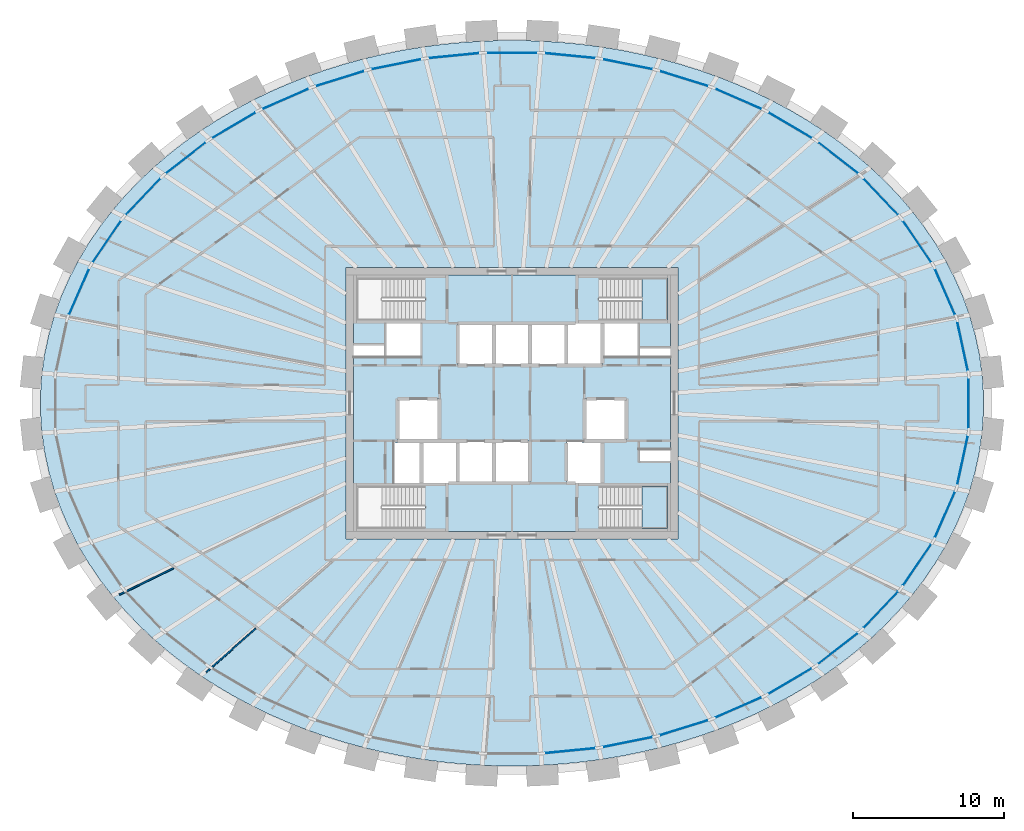
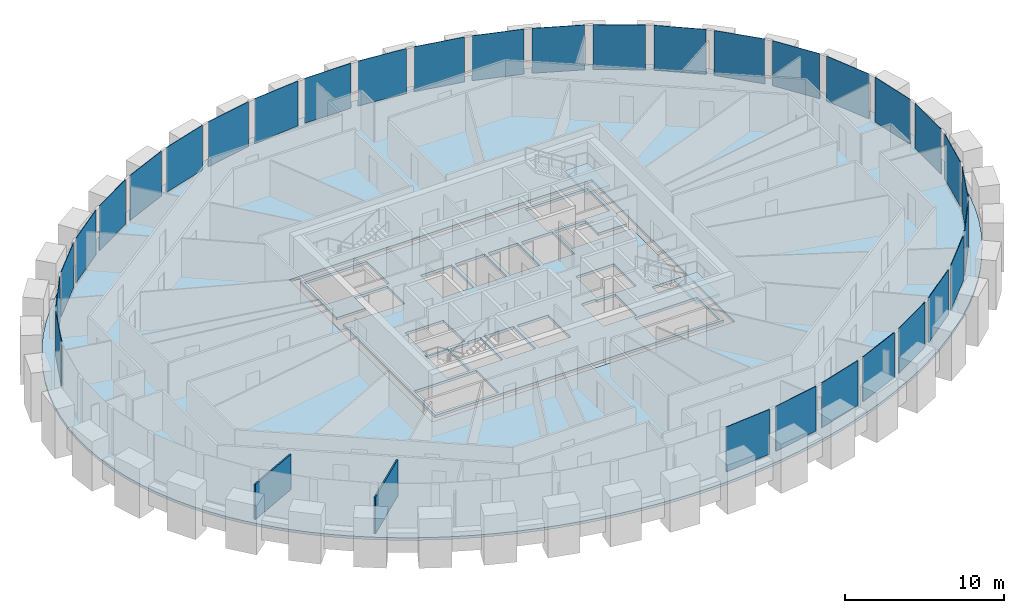
# One storey, part 5 of 12: 31 plates, 4 slabs, 2 walls, 3 elements without a shape of their own.
"""IFC4 building model written with IfcOpenShell, lengths in metres."""

from ifc_helpers import new_model, si_unit, direction, frame, frame_2d, origin, origin_2d, place, context, subcontext, project, spatial, polyline, rectangle, outline, extrude, source, transform, mapped, material, layer, layer_set, type_object, element, aggregate, save


model = new_model("IFC4")

# Units and contexts
model_context = context("Model", 3, precision=1e-05, world=origin(), true_north=direction((0.0, 1.0)))
body_context = subcontext(model_context, "Body", "Model", "MODEL_VIEW")
ifc_project = project(units=[si_unit("LENGTHUNIT", "METRE"), si_unit("AREAUNIT", "SQUARE_METRE"), si_unit("VOLUMEUNIT", "CUBIC_METRE"), si_unit("PLANEANGLEUNIT", "RADIAN"), si_unit("MASSUNIT", "GRAM", prefix="KILO")], contexts=[model_context])

# Site, building, storey
site_placement = place(None, origin())
site = spatial("IfcSite", under=ifc_project, at=site_placement, CompositionType="ELEMENT")
building_placement = place(site_placement, origin())
building = spatial("IfcBuilding", under=site, at=building_placement, Name="Embergate Tower", CompositionType="ELEMENT")
storey_placement = place(building_placement, frame((0.0, 0.0, 285.10009765625)))
storey = spatial("IfcBuildingStorey", under=building, at=storey_placement, Name="L66", CompositionType="ELEMENT", Elevation=285.10009765625)

# Slab
ifc_material_1 = material(Name="Concrete C40", Category="concrete")
ifc_layer_1 = layer(ifc_material_1, 0.199951171875)
ifc_layer_set_1 = layer_set([ifc_layer_1], Name="Concrete C40")
slab_type_1 = type_object("IfcSlabType", Name="Composite floor slab C40 200", PredefinedType="FLOOR", material=ifc_layer_set_1)
shared_shape_1 = source(origin(), body_context, "Body", "SweptSolid", [
    extrude(outline(polyline([(0.0, 0.0), (1.32177734375, 0.0), (2.643798828125, 0.04296875), (3.9658203125, 0.130126953125), (5.282958984375, 0.259033203125), (6.5908203125, 0.430908203125), (7.90087890625, 0.64794921875), (9.197998046875, 0.908935546875), (10.47900390625, 1.2109375), (11.762939453125, 1.56201171875), (13.02490234375, 1.955078125), (14.264892578125, 2.39013671875), (15.505859375, 2.8779296875), (16.7177734375, 3.407958984375), (17.89794921875, 3.97900390625), (19.076904296875, 4.60791015625), (20.216796875, 5.279052734375), (21.31591796875, 5.988037109375), (22.406982421875, 6.762939453125), (23.449951171875, 7.576904296875), (24.44091796875, 8.427001953125), (25.412841796875, 9.34814453125), (26.325927734375, 10.304931640625), (27.17578125, 11.296142578125), (27.990966796875, 12.35791015625), (28.73388671875, 13.450927734375), (29.40380859375, 14.572021484375), (30.016845703125, 15.759033203125), (30.5478515625, 16.968994140625), (30.994873046875, 18.199951171875), (31.36376953125, 19.47802734375), (31.641845703125, 20.77001953125), (31.827880859375, 22.071044921875), (31.921875, 23.39013671875), (31.921875, 24.7119140625), (31.827880859375, 26.031005859375), (31.641845703125, 27.33203125), (31.36376953125, 28.6240234375), (30.994873046875, 29.902099609375), (30.5478515625, 31.133056640625), (30.016845703125, 32.343017578125), (29.40380859375, 33.530029296875), (28.73388671875, 34.651123046875), (27.990966796875, 35.744140625), (27.17578125, 36.805908203125), (26.325927734375, 37.797119140625), (25.412841796875, 38.75390625), (24.44091796875, 39.675048828125), (23.449951171875, 40.525146484375), (22.406982421875, 41.339111328125), (21.31591796875, 42.114013671875), (20.216796875, 42.822998046875), (19.076904296875, 43.494140625), (17.89794921875, 44.123046875), (16.7177734375, 44.694091796875), (15.505859375, 45.22412109375), (14.264892578125, 45.7119140625), (13.02490234375, 46.14697265625), (11.762939453125, 46.5400390625), (10.47900390625, 46.89111328125), (9.197998046875, 47.193115234375), (7.90087890625, 47.4541015625), (6.5908203125, 47.671142578125), (5.282958984375, 47.843017578125), (3.9658203125, 47.971923828125), (2.643798828125, 48.05908203125), (1.32177734375, 48.10205078125), (0.0, 48.10205078125), (-1.322021484375, 48.05908203125), (-2.64404296875, 47.971923828125), (-3.961181640625, 47.843017578125), (-5.26904296875, 47.671142578125), (-6.5791015625, 47.4541015625), (-7.876220703125, 47.193115234375), (-9.1572265625, 46.89111328125), (-10.441162109375, 46.5400390625), (-11.703125, 46.14697265625), (-12.943115234375, 45.7119140625), (-14.18408203125, 45.22412109375), (-15.39599609375, 44.694091796875), (-16.576171875, 44.123046875), (-17.755126953125, 43.494140625), (-18.89501953125, 42.822998046875), (-19.994140625, 42.114013671875), (-21.085205078125, 41.339111328125), (-22.128173828125, 40.525146484375), (-23.119140625, 39.675048828125), (-24.091064453125, 38.75390625), (-25.004150390625, 37.797119140625), (-25.85400390625, 36.805908203125), (-26.669189453125, 35.744140625), (-27.412109375, 34.651123046875), (-28.08203125, 33.530029296875), (-28.695068359375, 32.343017578125), (-29.22607421875, 31.133056640625), (-29.673095703125, 29.902099609375), (-30.0419921875, 28.6240234375), (-30.320068359375, 27.33203125), (-30.506103515625, 26.031005859375), (-30.60009765625, 24.7119140625), (-30.60009765625, 23.39013671875), (-30.506103515625, 22.071044921875), (-30.320068359375, 20.77001953125), (-30.0419921875, 19.47802734375), (-29.673095703125, 18.199951171875), (-29.22607421875, 16.968994140625), (-28.695068359375, 15.759033203125), (-28.08203125, 14.572021484375), (-27.412109375, 13.450927734375), (-26.669189453125, 12.35791015625), (-25.85400390625, 11.296142578125), (-25.004150390625, 10.304931640625), (-24.091064453125, 9.34814453125), (-23.119140625, 8.427001953125), (-22.128173828125, 7.576904296875), (-21.085205078125, 6.762939453125), (-19.994140625, 5.988037109375), (-18.89501953125, 5.279052734375), (-17.755126953125, 4.60791015625), (-16.576171875, 3.97900390625), (-15.39599609375, 3.407958984375), (-14.18408203125, 2.8779296875), (-12.943115234375, 2.39013671875), (-11.703125, 1.955078125), (-10.441162109375, 1.56201171875), (-9.1572265625, 1.2109375), (-7.876220703125, 0.908935546875), (-6.5791015625, 0.64794921875), (-5.26904296875, 0.430908203125), (-3.961181640625, 0.259033203125), (-2.64404296875, 0.130126953125), (-1.322021484375, 0.04296875), (0.0, 0.0)]), holes=[polyline([(-10.339111328125, 15.051025390625), (-10.339111328125, 33.051025390625), (11.660888671875, 33.051025390625), (11.660888671875, 15.051025390625), (-10.339111328125, 15.051025390625)])]), origin(), (0.0, 0.0, 1.0), 0.2001953125),
])
slab_1_placement = place(storey_placement, frame((-0.660888671875, -24.051025390625, -0.2001953125)))
element("IfcSlab", 1, at=slab_1_placement, inside=storey, type_object=slab_type_1, Name="SLB-L66-00", PredefinedType="FLOOR", context=body_context, shape_type="MappedRepresentation", body=[
    mapped(shared_shape_1, transform((0.0, 0.0, 0.0))),
])

# Curtain wall, plates
ifc_material_2 = material(Name="Aluminium and glass", Category="aluminium")
curtain_wall_type = type_object("IfcCurtainWallType", Name="Recessed office glazing", PredefinedType="NOTDEFINED", material=ifc_material_2)
curtain_wall_placement = place(storey_placement, origin())
curtain_wall = element("IfcCurtainWall", 2, at=curtain_wall_placement, inside=storey, type_object=curtain_wall_type, Name="Recessed office glazing ring", ObjectType="RECESSED OFFICE GLAZING", PredefinedType="USERDEFINED")
ifc_material_3 = material(Name="Triple glazing, low-emissivity coating", Category="glass")
ifc_layer_2 = layer(ifc_material_3, 0.035888671875)
ifc_layer_set_2 = layer_set([ifc_layer_2], Name="Triple glazing, low-emissivity coating")
plate_type = type_object("IfcPlateType", Name="Office glazing unit", PredefinedType="CURTAIN_PANEL", material=ifc_layer_set_2)
shared_shape_2 = source(origin(), body_context, "Body", "SweptSolid", [
    extrude(rectangle(XDim=3.295166015625, YDim=0.035888671875, at=origin_2d()), origin(), (0.0, 0.0, 1.0), 3.449951171875),
])
plate_1_placement = place(storey_placement, frame((29.87548828125, 3.771240234375, 0.14990234375), z_axis=(0.0, 0.0, 1.0), x_axis=(-0.210405216217, 0.977614261858, 0.0)))
plate_1 = element("IfcPlate", 3, at=plate_1_placement, type_object=plate_type, Name="CW panel 1.1", PredefinedType="CURTAIN_PANEL", context=body_context, shape_type="MappedRepresentation", body=[
    mapped(shared_shape_2, transform((0.0, 0.0, 0.0))),
])
plate_2_placement = place(storey_placement, frame((29.87548828125, -3.771240234375, 0.14990234375), z_axis=(0.0, 0.0, 1.0), x_axis=(0.210405216217, 0.977614261858, 0.0)))
plate_2 = element("IfcPlate", 4, at=plate_2_placement, type_object=plate_type, Name="CW panel 43.1", PredefinedType="CURTAIN_PANEL", context=body_context, shape_type="MappedRepresentation", body=[
    mapped(shared_shape_2, transform((0.0, 0.0, 0.0))),
])
shared_shape_3 = source(origin(), body_context, "Body", "SweptSolid", [
    extrude(rectangle(XDim=3.302001953125, YDim=0.035888671875, at=origin_2d()), origin(), (0.0, 0.0, 1.0), 3.449951171875),
])
plate_3_placement = place(storey_placement, frame((28.70654296875, 7.385986328125, 0.14990234375), z_axis=(0.0, 0.0, 1.0), x_axis=(-0.401663289641, 0.915787421706, 0.0)))
plate_3 = element("IfcPlate", 5, at=plate_3_placement, type_object=plate_type, Name="CW panel 2.1", PredefinedType="CURTAIN_PANEL", context=body_context, shape_type="MappedRepresentation", body=[
    mapped(shared_shape_3, transform((0.0, 0.0, 0.0))),
])
plate_4_placement = place(storey_placement, frame((-28.70654296875, 7.385986328125, 0.14990234375), z_axis=(0.0, 0.0, 1.0), x_axis=(-0.401663289641, -0.915787421706, 0.0)))
plate_4 = element("IfcPlate", 6, at=plate_4_placement, type_object=plate_type, Name="CW panel 20.1", PredefinedType="CURTAIN_PANEL", context=body_context, shape_type="MappedRepresentation", body=[
    mapped(shared_shape_3, transform((0.0, 0.0, 0.0))),
])
plate_5_placement = place(storey_placement, frame((28.70654296875, -7.385986328125, 0.14990234375), z_axis=(0.0, 0.0, 1.0), x_axis=(0.401663289641, 0.915787421706, 0.0)))
plate_5 = element("IfcPlate", 7, at=plate_5_placement, type_object=plate_type, Name="CW panel 42.1", PredefinedType="CURTAIN_PANEL", context=body_context, shape_type="MappedRepresentation", body=[
    mapped(shared_shape_3, transform((0.0, 0.0, 0.0))),
])
shared_shape_4 = source(origin(), body_context, "Body", "SweptSolid", [
    extrude(rectangle(XDim=3.310546875, YDim=0.035888671875, at=origin_2d()), origin(), (0.0, 0.0, 1.0), 3.449951171875),
])
plate_6_placement = place(storey_placement, frame((26.86181640625, 10.719970703125, 0.14990234375), z_axis=(0.0, 0.0, 1.0), x_axis=(-0.562353287631, 0.826897079382, 0.0)))
plate_6 = element("IfcPlate", 8, at=plate_6_placement, type_object=plate_type, Name="CW panel 3.1", PredefinedType="CURTAIN_PANEL", context=body_context, shape_type="MappedRepresentation", body=[
    mapped(shared_shape_4, transform((0.0, 0.0, 0.0))),
])
plate_7_placement = place(storey_placement, frame((-26.86181640625, 10.719970703125, 0.14990234375), z_axis=(0.0, 0.0, 1.0), x_axis=(-0.562353287631, -0.826897079382, 0.0)))
plate_7 = element("IfcPlate", 9, at=plate_7_placement, type_object=plate_type, Name="CW panel 19.1", PredefinedType="CURTAIN_PANEL", context=body_context, shape_type="MappedRepresentation", body=[
    mapped(shared_shape_4, transform((0.0, 0.0, 0.0))),
])
plate_8_placement = place(storey_placement, frame((26.86181640625, -10.719970703125, 0.14990234375), z_axis=(0.0, 0.0, 1.0), x_axis=(0.562353287631, 0.826897079382, 0.0)))
plate_8 = element("IfcPlate", 10, at=plate_8_placement, type_object=plate_type, Name="CW panel 41.1", PredefinedType="CURTAIN_PANEL", context=body_context, shape_type="MappedRepresentation", body=[
    mapped(shared_shape_4, transform((0.0, 0.0, 0.0))),
])
shared_shape_5 = source(origin(), body_context, "Body", "SweptSolid", [
    extrude(rectangle(XDim=3.319091796875, YDim=0.035888671875, at=origin_2d()), origin(), (0.0, 0.0, 1.0), 3.449951171875),
])
plate_9_placement = place(storey_placement, frame((24.460205078125, 13.69287109375, 0.14990234375), z_axis=(0.0, 0.0, 1.0), x_axis=(-0.690143888901, 0.723672172059, 0.0)))
plate_9 = element("IfcPlate", 11, at=plate_9_placement, type_object=plate_type, Name="CW panel 4.1", PredefinedType="CURTAIN_PANEL", context=body_context, shape_type="MappedRepresentation", body=[
    mapped(shared_shape_5, transform((0.0, 0.0, 0.0))),
])
plate_10_placement = place(storey_placement, frame((-24.460205078125, 13.69287109375, 0.14990234375), z_axis=(0.0, 0.0, 1.0), x_axis=(-0.690143888901, -0.723672172059, 0.0)))
plate_10 = element("IfcPlate", 12, at=plate_10_placement, type_object=plate_type, Name="CW panel 18.1", PredefinedType="CURTAIN_PANEL", context=body_context, shape_type="MappedRepresentation", body=[
    mapped(shared_shape_5, transform((0.0, 0.0, 0.0))),
])
plate_11_placement = place(storey_placement, frame((24.460205078125, -13.69287109375, 0.14990234375), z_axis=(0.0, 0.0, 1.0), x_axis=(0.690143888901, 0.723672172059, 0.0)))
plate_11 = element("IfcPlate", 13, at=plate_11_placement, type_object=plate_type, Name="CW panel 40.1", PredefinedType="CURTAIN_PANEL", context=body_context, shape_type="MappedRepresentation", body=[
    mapped(shared_shape_5, transform((0.0, 0.0, 0.0))),
])
shared_shape_6 = source(origin(), body_context, "Body", "SweptSolid", [
    extrude(rectangle(XDim=3.326416015625, YDim=0.035888671875, at=origin_2d()), origin(), (0.0, 0.0, 1.0), 3.449951171875),
])
plate_12_placement = place(storey_placement, frame((21.619384765625, 16.26513671875, 0.14990234375), z_axis=(0.0, 0.0, 1.0), x_axis=(-0.788326562254, 0.615257044855, 0.0)))
plate_12 = element("IfcPlate", 14, at=plate_12_placement, type_object=plate_type, Name="CW panel 5.1", PredefinedType="CURTAIN_PANEL", context=body_context, shape_type="MappedRepresentation", body=[
    mapped(shared_shape_6, transform((0.0, 0.0, 0.0))),
])
plate_13_placement = place(storey_placement, frame((-21.619384765625, 16.26513671875, 0.14990234375), z_axis=(0.0, 0.0, 1.0), x_axis=(-0.788326562254, -0.615257044855, 0.0)))
plate_13 = element("IfcPlate", 15, at=plate_13_placement, type_object=plate_type, Name="CW panel 17.1", PredefinedType="CURTAIN_PANEL", context=body_context, shape_type="MappedRepresentation", body=[
    mapped(shared_shape_6, transform((0.0, 0.0, 0.0))),
])
plate_14_placement = place(storey_placement, frame((21.619384765625, -16.26513671875, 0.14990234375), z_axis=(0.0, 0.0, 1.0), x_axis=(0.788326562254, 0.615257044855, 0.0)))
plate_14 = element("IfcPlate", 16, at=plate_14_placement, type_object=plate_type, Name="CW panel 39.1", PredefinedType="CURTAIN_PANEL", context=body_context, shape_type="MappedRepresentation", body=[
    mapped(shared_shape_6, transform((0.0, 0.0, 0.0))),
])
shared_shape_7 = source(origin(), body_context, "Body", "SweptSolid", [
    extrude(rectangle(XDim=3.332275390625, YDim=0.035888671875, at=origin_2d()), origin(), (0.0, 0.0, 1.0), 3.449951171875),
])
plate_15_placement = place(storey_placement, frame((18.44287109375, 18.424560546875, 0.14990234375), z_axis=(0.0, 0.0, 1.0), x_axis=(-0.862057590599, 0.506810329898, 0.0)))
plate_15 = element("IfcPlate", 17, at=plate_15_placement, type_object=plate_type, Name="CW panel 6.1", PredefinedType="CURTAIN_PANEL", context=body_context, shape_type="MappedRepresentation", body=[
    mapped(shared_shape_7, transform((0.0, 0.0, 0.0))),
])
plate_16_placement = place(storey_placement, frame((-18.44287109375, 18.424560546875, 0.14990234375), z_axis=(0.0, 0.0, 1.0), x_axis=(-0.862057590599, -0.506810329898, 0.0)))
plate_16 = element("IfcPlate", 18, at=plate_16_placement, type_object=plate_type, Name="CW panel 16.1", PredefinedType="CURTAIN_PANEL", context=body_context, shape_type="MappedRepresentation", body=[
    mapped(shared_shape_7, transform((0.0, 0.0, 0.0))),
])
plate_17_placement = place(storey_placement, frame((18.44287109375, -18.424560546875, 0.14990234375), z_axis=(0.0, 0.0, 1.0), x_axis=(0.862057590599, 0.506810329898, 0.0)))
plate_17 = element("IfcPlate", 19, at=plate_17_placement, type_object=plate_type, Name="CW panel 38.1", PredefinedType="CURTAIN_PANEL", context=body_context, shape_type="MappedRepresentation", body=[
    mapped(shared_shape_7, transform((0.0, 0.0, 0.0))),
])
shared_shape_8 = source(origin(), body_context, "Body", "SweptSolid", [
    extrude(rectangle(XDim=3.336669921875, YDim=0.035888671875, at=origin_2d()), origin(), (0.0, 0.0, 1.0), 3.449951171875),
])
plate_18_placement = place(storey_placement, frame((15.015380859375, 20.173095703125, 0.14990234375), z_axis=(0.0, 0.0, 1.0), x_axis=(-0.916239008703, 0.400632099227, 0.0)))
plate_18 = element("IfcPlate", 20, at=plate_18_placement, type_object=plate_type, Name="CW panel 7.1", PredefinedType="CURTAIN_PANEL", context=body_context, shape_type="MappedRepresentation", body=[
    mapped(shared_shape_8, transform((0.0, 0.0, 0.0))),
])
plate_19_placement = place(storey_placement, frame((-15.015380859375, 20.173095703125, 0.14990234375), z_axis=(0.0, 0.0, 1.0), x_axis=(-0.916239008703, -0.400632099227, 0.0)))
plate_19 = element("IfcPlate", 21, at=plate_19_placement, type_object=plate_type, Name="CW panel 15.1", PredefinedType="CURTAIN_PANEL", context=body_context, shape_type="MappedRepresentation", body=[
    mapped(shared_shape_8, transform((0.0, 0.0, 0.0))),
])
plate_20_placement = place(storey_placement, frame((15.015380859375, -20.173095703125, 0.14990234375), z_axis=(0.0, 0.0, 1.0), x_axis=(0.916239008703, 0.400632099227, 0.0)))
plate_20 = element("IfcPlate", 22, at=plate_20_placement, type_object=plate_type, Name="CW panel 37.1", PredefinedType="CURTAIN_PANEL", context=body_context, shape_type="MappedRepresentation", body=[
    mapped(shared_shape_8, transform((0.0, 0.0, 0.0))),
])
shared_shape_9 = source(origin(), body_context, "Body", "SweptSolid", [
    extrude(rectangle(XDim=3.33984375, YDim=0.035888671875, at=origin_2d()), origin(), (0.0, 0.0, 1.0), 3.449951171875),
])
plate_21_placement = place(storey_placement, frame((11.406005859375, 21.51953125, 0.14990234375), z_axis=(0.0, 0.0, 1.0), x_axis=(-0.954773774021, 0.297333214496, 0.0)))
plate_21 = element("IfcPlate", 23, at=plate_21_placement, type_object=plate_type, Name="CW panel 8.1", PredefinedType="CURTAIN_PANEL", context=body_context, shape_type="MappedRepresentation", body=[
    mapped(shared_shape_9, transform((0.0, 0.0, 0.0))),
])
plate_22_placement = place(storey_placement, frame((-11.406005859375, 21.51953125, 0.14990234375), z_axis=(0.0, 0.0, 1.0), x_axis=(-0.954773774021, -0.297333214496, 0.0)))
plate_22 = element("IfcPlate", 24, at=plate_22_placement, type_object=plate_type, Name="CW panel 14.1", PredefinedType="CURTAIN_PANEL", context=body_context, shape_type="MappedRepresentation", body=[
    mapped(shared_shape_9, transform((0.0, 0.0, 0.0))),
])
plate_23_placement = place(storey_placement, frame((11.406005859375, -21.51953125, 0.14990234375), z_axis=(0.0, 0.0, 1.0), x_axis=(0.954773774021, 0.297333214496, 0.0)))
plate_23 = element("IfcPlate", 25, at=plate_23_placement, type_object=plate_type, Name="CW panel 36.1", PredefinedType="CURTAIN_PANEL", context=body_context, shape_type="MappedRepresentation", body=[
    mapped(shared_shape_9, transform((0.0, 0.0, 0.0))),
])
shared_shape_10 = source(origin(), body_context, "Body", "SweptSolid", [
    extrude(rectangle(XDim=3.342041015625, YDim=0.035888671875, at=origin_2d()), origin(), (0.0, 0.0, 1.0), 3.449951171875),
])
plate_24_placement = place(storey_placement, frame((7.669921875, 22.47314453125, 0.14990234375), z_axis=(0.0, 0.0, 1.0), x_axis=(-0.980476593804, 0.196635828382, 0.0)))
plate_24 = element("IfcPlate", 26, at=plate_24_placement, type_object=plate_type, Name="CW panel 9.1", PredefinedType="CURTAIN_PANEL", context=body_context, shape_type="MappedRepresentation", body=[
    mapped(shared_shape_10, transform((0.0, 0.0, 0.0))),
])
plate_25_placement = place(storey_placement, frame((-7.669921875, 22.47314453125, 0.14990234375), z_axis=(0.0, 0.0, 1.0), x_axis=(-0.980476593804, -0.196635828382, 0.0)))
plate_25 = element("IfcPlate", 27, at=plate_25_placement, type_object=plate_type, Name="CW panel 13.1", PredefinedType="CURTAIN_PANEL", context=body_context, shape_type="MappedRepresentation", body=[
    mapped(shared_shape_10, transform((0.0, 0.0, 0.0))),
])
plate_26_placement = place(storey_placement, frame((7.669921875, -22.47314453125, 0.14990234375), z_axis=(0.0, 0.0, 1.0), x_axis=(0.980476593804, 0.196635828382, 0.0)))
plate_26 = element("IfcPlate", 28, at=plate_26_placement, type_object=plate_type, Name="CW panel 35.1", PredefinedType="CURTAIN_PANEL", context=body_context, shape_type="MappedRepresentation", body=[
    mapped(shared_shape_10, transform((0.0, 0.0, 0.0))),
])
shared_shape_11 = source(origin(), body_context, "Body", "SweptSolid", [
    extrude(rectangle(XDim=3.34326171875, YDim=0.035888671875, at=origin_2d()), origin(), (0.0, 0.0, 1.0), 3.449951171875),
])
plate_27_placement = place(storey_placement, frame((3.854248046875, 23.0419921875, 0.14990234375), z_axis=(0.0, 0.0, 1.0), x_axis=(-0.995203355531, 0.09782781373, 0.0)))
plate_27 = element("IfcPlate", 29, at=plate_27_placement, type_object=plate_type, Name="CW panel 10.1", PredefinedType="CURTAIN_PANEL", context=body_context, shape_type="MappedRepresentation", body=[
    mapped(shared_shape_11, transform((0.0, 0.0, 0.0))),
])
plate_28_placement = place(storey_placement, frame((-3.854248046875, 23.0419921875, 0.14990234375), z_axis=(0.0, 0.0, 1.0), x_axis=(-0.995203355531, -0.09782781373, 0.0)))
plate_28 = element("IfcPlate", 30, at=plate_28_placement, type_object=plate_type, Name="CW panel 12.1", PredefinedType="CURTAIN_PANEL", context=body_context, shape_type="MappedRepresentation", body=[
    mapped(shared_shape_11, transform((0.0, 0.0, 0.0))),
])
plate_29_placement = place(storey_placement, frame((3.854248046875, -23.0419921875, 0.14990234375), z_axis=(0.0, 0.0, 1.0), x_axis=(0.995203355531, 0.09782781373, 0.0)))
plate_29 = element("IfcPlate", 31, at=plate_29_placement, type_object=plate_type, Name="CW panel 34.1", PredefinedType="CURTAIN_PANEL", context=body_context, shape_type="MappedRepresentation", body=[
    mapped(shared_shape_11, transform((0.0, 0.0, 0.0))),
])
shared_shape_12 = source(origin(), body_context, "Body", "SweptSolid", [
    extrude(rectangle(XDim=3.34375, YDim=0.035888671875, at=origin_2d()), origin(), (0.0, 0.0, 1.0), 3.449951171875),
])
plate_30_placement = place(storey_placement, frame((0.0, 23.230712890625, 0.14990234375), z_axis=(0.0, 0.0, 1.0), x_axis=(-1.0, 0.0, 0.0)))
plate_30 = element("IfcPlate", 32, at=plate_30_placement, type_object=plate_type, Name="CW panel 11.1", PredefinedType="CURTAIN_PANEL", context=body_context, shape_type="MappedRepresentation", body=[
    mapped(shared_shape_12, transform((0.0, 0.0, 0.0))),
])
shared_shape_13 = source(origin(), body_context, "Body", "SweptSolid", [
    extrude(rectangle(XDim=3.29248046875, YDim=0.035888671875, at=origin_2d()), origin(), (0.0, 0.0, 1.0), 3.449951171875),
])
plate_31_placement = place(storey_placement, frame((30.27685546875, 0.0, 0.14990234375), z_axis=(0.0, 0.0, 1.0), x_axis=(0.0, 1.0, 0.0)))
plate_31 = element("IfcPlate", 33, at=plate_31_placement, type_object=plate_type, Name="CW panel 44.1", PredefinedType="CURTAIN_PANEL", context=body_context, shape_type="MappedRepresentation", body=[
    mapped(shared_shape_13, transform((0.0, 0.0, 0.0))),
])
aggregate(curtain_wall, [plate_1, plate_3, plate_6, plate_9, plate_12, plate_15, plate_18, plate_21, plate_24, plate_27, plate_30, plate_28, plate_25, plate_22, plate_19, plate_16, plate_13, plate_10, plate_7, plate_4, plate_29, plate_26, plate_23, plate_20, plate_17, plate_14, plate_11, plate_8, plate_5, plate_2, plate_31])

# Stair, slab
ifc_material_4 = material(Name="Exit stair")
stair_type = type_object("IfcStairType", Name="Exit stair", PredefinedType="HALF_TURN_STAIR", material=ifc_material_4)
stair_1_placement = place(storey_placement, origin())
stair_1 = element("IfcStair", 34, at=stair_1_placement, inside=storey, type_object=stair_type, Name="L66 Exit stair 2", PredefinedType="HALF_TURN_STAIR")
ifc_layer_3 = layer(ifc_material_1, 0.199951171875)
ifc_layer_set_3 = layer_set([ifc_layer_3], Name="Concrete C40")
slab_type_2 = type_object("IfcSlabType", Name="Stair landing reinforced concrete", PredefinedType="LANDING", material=ifc_layer_set_3)
shared_shape_14 = source(origin(), body_context, "Body", "SweptSolid", [
    extrude(outline(polyline([(0.0, 0.0), (1.68994140625, 0.0), (1.68994140625, 2.800048828125), (0.0, 2.800048828125), (0.0, 0.0)])), origin(), (0.0, 0.0, 1.0), 0.199951171875),
])
slab_2_placement = place(storey_placement, frame((8.610107421875, 5.5, 1.75)))
slab_2 = element("IfcSlab", 35, at=slab_2_placement, type_object=slab_type_2, Name="ST2 landing 1", PredefinedType="LANDING", context=body_context, shape_type="MappedRepresentation", body=[
    mapped(shared_shape_14, transform((0.0, 0.0, 0.0))),
])
aggregate(stair_1, [slab_2])

stair_2_placement = place(storey_placement, origin())
stair_2 = element("IfcStair", 36, at=stair_2_placement, inside=storey, type_object=stair_type, Name="L66 Exit stair 4", PredefinedType="HALF_TURN_STAIR")
slab_3_placement = place(storey_placement, frame((8.610107421875, -8.300048828125, 1.75)))
slab_3 = element("IfcSlab", 37, at=slab_3_placement, type_object=slab_type_2, Name="ST4 landing 1", PredefinedType="LANDING", context=body_context, shape_type="MappedRepresentation", body=[
    mapped(shared_shape_14, transform((0.0, 0.0, 0.0))),
])
aggregate(stair_2, [slab_3])

# Slab
ifc_layer_4 = layer(ifc_material_1, 0.199951171875)
ifc_layer_set_4 = layer_set([ifc_layer_4], Name="Concrete C40")
slab_type_3 = type_object("IfcSlabType", Name="Core floor slab 200 reinforced concrete", PredefinedType="FLOOR", material=ifc_layer_set_4)
shared_shape_15 = source(origin(), body_context, "Body", "SweptSolid", [
    extrude(outline(polyline([(0.0, 0.0), (21.0, 0.0), (21.0, 4.60009765625), (18.89990234375, 4.60009765625), (18.89990234375, 5.39990234375), (21.0, 5.39990234375), (21.0, 11.60009765625), (18.89990234375, 11.60009765625), (16.625, 11.60009765625), (16.625, 13.800048828125), (18.89990234375, 13.800048828125), (18.89990234375, 12.2041015625), (21.0, 12.2041015625), (21.0, 17.0), (0.0, 17.0), (0.0, 12.39990234375), (2.10009765625, 12.39990234375), (2.10009765625, 13.800048828125), (4.5, 13.800048828125), (4.5, 11.60009765625), (2.10009765625, 11.60009765625), (0.0, 11.60009765625), (0.0, 0.0)]), holes=[polyline([(0.199951171875, 0.199951171875), (0.199951171875, 3.0), (4.739990234375, 3.0), (4.739990234375, 0.199951171875), (0.199951171875, 0.199951171875)]), polyline([(16.260009765625, 0.199951171875), (16.260009765625, 3.0), (20.800048828125, 3.0), (20.800048828125, 0.199951171875), (16.260009765625, 0.199951171875)]), polyline([(2.699951171875, 3.199951171875), (2.699951171875, 6.0), (2.77490234375, 6.0), (2.77490234375, 5.875), (4.375, 5.875), (4.375, 3.199951171875), (2.699951171875, 3.199951171875)]), polyline([(4.5, 3.199951171875), (4.5, 5.875), (5.824951171875, 5.875), (5.824951171875, 6.0), (6.77490234375, 6.0), (6.77490234375, 3.199951171875), (4.5, 3.199951171875)]), polyline([(7.02490234375, 3.199951171875), (7.02490234375, 6.0), (9.175048828125, 6.0), (9.175048828125, 3.199951171875), (7.02490234375, 3.199951171875)]), polyline([(9.425048828125, 3.199951171875), (9.425048828125, 6.0), (11.699951171875, 6.0), (11.699951171875, 3.199951171875), (9.425048828125, 3.199951171875)]), polyline([(14.10009765625, 3.199951171875), (14.10009765625, 6.0), (15.175048828125, 6.0), (15.175048828125, 5.875), (16.5, 5.875), (16.5, 3.199951171875), (14.10009765625, 3.199951171875)]), polyline([(2.89990234375, 6.0), (2.89990234375, 8.800048828125), (5.699951171875, 8.800048828125), (5.699951171875, 6.125), (4.375, 6.125), (4.375, 6.0), (2.89990234375, 6.0)]), polyline([(16.625, 6.0), (16.625, 6.125), (15.300048828125, 6.125), (15.300048828125, 8.800048828125), (18.10009765625, 8.800048828125), (18.10009765625, 6.0), (16.625, 6.0)]), polyline([(6.89990234375, 11.0), (6.89990234375, 13.800048828125), (9.175048828125, 13.800048828125), (9.175048828125, 11.0), (6.89990234375, 11.0)]), polyline([(9.425048828125, 11.0), (9.425048828125, 13.800048828125), (11.574951171875, 13.800048828125), (11.574951171875, 11.0), (9.425048828125, 11.0)]), polyline([(11.824951171875, 11.0), (11.824951171875, 13.800048828125), (13.97509765625, 13.800048828125), (13.97509765625, 11.0), (11.824951171875, 11.0)]), polyline([(14.22509765625, 11.0), (14.22509765625, 13.800048828125), (16.5, 13.800048828125), (16.5, 11.0), (14.22509765625, 11.0)]), polyline([(0.199951171875, 14.0), (0.199951171875, 16.800048828125), (4.739990234375, 16.800048828125), (4.739990234375, 14.0), (0.199951171875, 14.0)]), polyline([(16.260009765625, 14.0), (16.260009765625, 16.800048828125), (20.800048828125, 16.800048828125), (20.800048828125, 14.0), (16.260009765625, 14.0)])]), origin(), (0.0, 0.0, 1.0), 0.2001953125),
])
slab_4_placement = place(storey_placement, frame((-10.5, -8.5, -0.2001953125)))
element("IfcSlab", 38, at=slab_4_placement, inside=storey, type_object=slab_type_3, Name="Core floor slab", PredefinedType="FLOOR", context=body_context, shape_type="MappedRepresentation", body=[
    mapped(shared_shape_15, transform((0.0, 0.0, 0.0))),
])

# Walls
ifc_material_5 = material(Name="Partition dry-lined 100")
ifc_layer_5 = layer(ifc_material_5, 0.10009765625)
ifc_layer_set_5 = layer_set([ifc_layer_5], Name="Partition dry-lined 100")
wall_type = type_object("IfcWallType", Name="Partition dry-lined 100", PredefinedType="PARTITIONING", material=ifc_layer_set_5)
shared_shape_16 = source(origin(), body_context, "Body", "SweptSolid", [
    extrude(rectangle(XDim=4.38232421875, YDim=0.10009765625, at=frame_2d((2.191162109375, 0.0))), origin(), (0.0, 0.0, 1.0), 2.7998046875),
])
wall_1_placement = place(storey_placement, frame((-16.985107421875, -14.93701171875, 0.0), z_axis=(0.0, 0.0, 1.0), x_axis=(-0.750921251166, -0.660391758389, 0.0)))
element("IfcWall", 39, at=wall_1_placement, inside=storey, type_object=wall_type, Name="IP-1 wall", PredefinedType="PARTITIONING", context=body_context, shape_type="MappedRepresentation", body=[
    mapped(shared_shape_16, transform((0.0, 0.0, 0.0))),
])
shared_shape_17 = source(origin(), body_context, "Body", "SweptSolid", [
    extrude(rectangle(XDim=4.0029296875, YDim=0.10009765625, at=frame_2d((2.00146484375, 0.0))), origin(), (0.0, 0.0, 1.0), 2.699951171875),
])
wall_2_placement = place(storey_placement, frame((-22.44189453125, -10.93994140625, 0.0), z_axis=(0.0, 0.0, 1.0), x_axis=(-0.898870999174, -0.438213334853, 0.0)))
element("IfcWall", 40, at=wall_2_placement, inside=storey, type_object=wall_type, Name="IP-1 wall", PredefinedType="PARTITIONING", context=body_context, shape_type="MappedRepresentation", body=[
    mapped(shared_shape_17, transform((0.0, 0.0, 0.0))),
])

save(model, "model.ifc")
